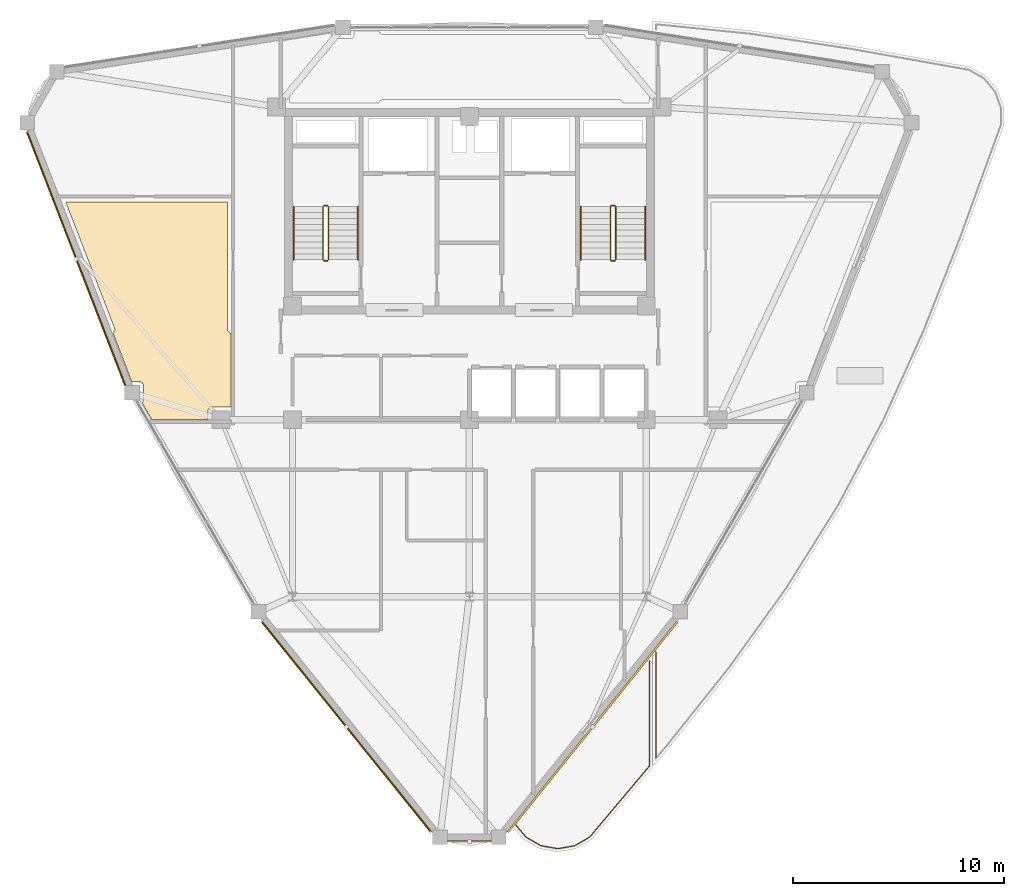
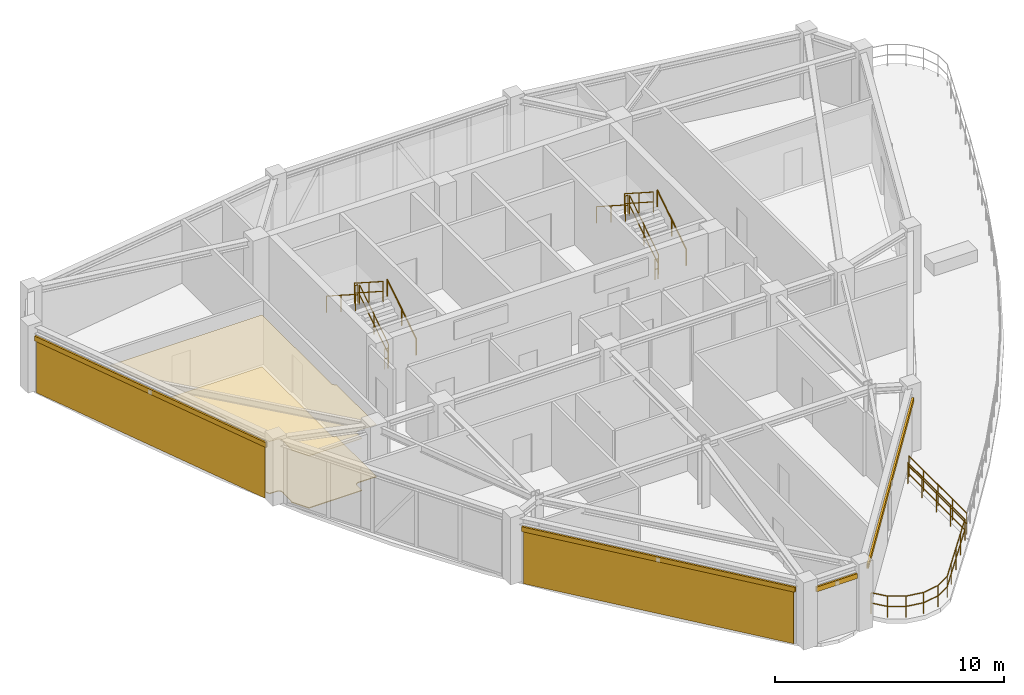
# One storey, part 14 of 16: 14 railings, 4 coverings, 4 shading devices.
"""IFC4 building model written with IfcOpenShell, lengths in metres."""

from ifc_helpers import new_model, si_unit, derived_unit, direction, frame, origin, origin_2d, place, context, subcontext, project, spatial, polyline, hollow_rectangle, circle, outline, extrude, source, transform, mapped, material, layer, layer_set, material_profile, profile_set, type_object, element, save


model = new_model("IFC4")

# Units and contexts
model_context = context("Model", 3, precision=1e-05, world=origin(), true_north=direction((0.0, 1.0)))
body_context = subcontext(model_context, "Body", "Model", "MODEL_VIEW")
ifc_project = project(units=[si_unit("LENGTHUNIT", "METRE"), si_unit("AREAUNIT", "SQUARE_METRE"), si_unit("VOLUMEUNIT", "CUBIC_METRE"), si_unit("PLANEANGLEUNIT", "RADIAN"), si_unit("MASSUNIT", "GRAM", prefix="KILO"), derived_unit("THERMALTRANSMITTANCEUNIT", [(si_unit("POWERUNIT", "WATT"), 1), (si_unit("LENGTHUNIT", "METRE"), -2), (si_unit("THERMODYNAMICTEMPERATUREUNIT", "KELVIN"), -1)])], contexts=[model_context])

# Site, building, storey
site_placement = place(None, origin())
site = spatial("IfcSite", under=ifc_project, at=site_placement, CompositionType="ELEMENT")
building_placement = place(site_placement, origin())
building = spatial("IfcBuilding", under=site, at=building_placement, Name="Korsvarv Bourse and Concert Hall", CompositionType="ELEMENT")
storey_placement = place(building_placement, frame((0.0, 0.0, 243.0)))
storey = spatial("IfcBuildingStorey", under=building, at=storey_placement, Name="L63", CompositionType="ELEMENT", Elevation=243.0)

# Coverings
ifc_material_1 = material(Name="Perforated mineral-wool and birch acoustic baffle ceiling", Category="wood")
ifc_layer_1 = layer(ifc_material_1, 0.02490234375)
ifc_layer_set_1 = layer_set([ifc_layer_1], Name="Perforated mineral-wool and birch acoustic baffle ceiling")
covering_type_1 = type_object("IfcCoveringType", Name="COV-CEIL-1", PredefinedType="CEILING", material=ifc_layer_set_1)
covering_1_placement = place(storey_placement, frame((0.0, 0.0, 2.7900390625)))
element("IfcCovering", 1, at=covering_1_placement, inside=storey, type_object=covering_type_1, Name="L63 acoustic baffle ceiling 1", PredefinedType="CEILING", context=body_context, shape_type="SweptSolid", body=[
    extrude(outline(polyline([(19.07958984375, 36.5234375), (19.1083984375, 36.544921875), (19.132568359375, 36.57177734375), (19.15087890625, 36.602783203125), (19.16259765625, 36.63671875), (19.167236328125, 36.672607421875), (19.164794921875, 36.70849609375), (19.1552734375, 36.7431640625), (16.8310546875, 42.75), (24.52001953125, 42.75), (24.52001953125, 36.68994140625), (24.523681640625, 36.65380859375), (24.53466796875, 36.618896484375), (24.55224609375, 36.587158203125), (24.575927734375, 36.5595703125), (24.604736328125, 36.537353515625), (24.637451171875, 36.521240234375), (24.672607421875, 36.51220703125), (24.679931640625, 32.9990234375), (24.654541015625, 33.00390625), (23.777099609375, 33.014892578125), (23.741943359375, 33.011962890625), (23.708251953125, 33.002197265625), (23.677001953125, 32.986083984375), (23.6494140625, 32.964111328125), (23.626708984375, 32.937255859375), (23.60986328125, 32.906494140625), (23.59912109375, 32.872802734375), (23.594970703125, 32.837890625), (23.587890625, 32.409912109375), (21.001220703125, 32.409912109375), (20.96435546875, 32.40625), (20.9306640625, 32.3955078125), (20.463623046875, 33.204345703125), (20.477783203125, 33.222412109375), (20.49462890625, 33.2529296875), (20.505126953125, 33.286376953125), (20.509033203125, 33.321044921875), (20.51904296875, 34.031005859375), (20.51611328125, 34.066162109375), (20.506591796875, 34.099853515625), (20.490478515625, 34.131103515625), (20.468505859375, 34.15869140625), (20.441650390625, 34.181396484375), (20.4111328125, 34.198486328125), (20.377685546875, 34.20947265625), (20.3427734375, 34.213623046875), (19.9638671875, 34.22119140625), (19.07958984375, 36.5234375)])), origin(), (0.0, 0.0, 1.0), 0.02490234375),
])
ifc_material_2 = material(Name="Warm iron-oxide extruded terracotta rainscreen tile", Category="ceramic")
ifc_layer_2 = layer(ifc_material_2, 0.044921875)
ifc_layer_set_2 = layer_set([ifc_layer_2], Name="Warm iron-oxide extruded terracotta rainscreen tile")
covering_type_2 = type_object("IfcCoveringType", Name="COV-CLD-TC", PredefinedType="CLADDING", material=ifc_layer_set_2)
covering_2_placement = place(storey_placement, origin())
element("IfcCovering", 2, at=covering_2_placement, inside=storey, type_object=covering_type_2, Name="L63 fluted terracotta cladding panel EW-L63-B06", PredefinedType="CLADDING", context=body_context, shape_type="SweptSolid", body=[
    extrude(outline(polyline([(15.052734375, 46.025390625), (19.686767578125, 34.064453125), (19.64501953125, 34.048095703125), (15.0107421875, 46.009033203125), (15.052734375, 46.025390625)])), origin(), (0.0, 0.0, 1.0), 2.72998046875),
])
covering_3_placement = place(storey_placement, origin())
element("IfcCovering", 3, at=covering_3_placement, inside=storey, type_object=covering_type_2, Name="L63 fluted terracotta cladding panel EW-L63-B08", PredefinedType="CLADDING", context=body_context, shape_type="SweptSolid", body=[
    extrude(outline(polyline([(26.214111328125, 22.78173828125), (34.16162109375, 12.90478515625), (34.12646484375, 12.876708984375), (26.17919921875, 22.75341796875), (26.214111328125, 22.78173828125)])), origin(), (0.0, 0.0, 1.0), 2.760009765625),
])
ifc_material_3 = material(Name="Calcium-sulphate raised access trading floor with Nordic oak top", Category="wood")
ifc_layer_3 = layer(ifc_material_3, 0.0400390625)
ifc_layer_set_3 = layer_set([ifc_layer_3], Name="Calcium-sulphate raised access trading floor with Nordic oak top")
covering_type_3 = type_object("IfcCoveringType", Name="COV-FLOR-1", PredefinedType="FLOORING", material=ifc_layer_set_3)
covering_4_placement = place(storey_placement, origin())
element("IfcCovering", 4, at=covering_4_placement, inside=storey, type_object=covering_type_3, Name="L63 raised access oak floor finish 1", PredefinedType="FLOORING", context=body_context, shape_type="SweptSolid", body=[
    extrude(outline(polyline([(19.07958984375, 36.5234375), (19.1083984375, 36.544921875), (19.132568359375, 36.57177734375), (19.15087890625, 36.602783203125), (19.16259765625, 36.63671875), (19.167236328125, 36.672607421875), (19.164794921875, 36.70849609375), (19.1552734375, 36.7431640625), (16.8310546875, 42.75), (24.52001953125, 42.75), (24.52001953125, 36.68994140625), (24.523681640625, 36.65380859375), (24.53466796875, 36.618896484375), (24.55224609375, 36.587158203125), (24.575927734375, 36.5595703125), (24.604736328125, 36.537353515625), (24.637451171875, 36.521240234375), (24.672607421875, 36.51220703125), (24.679931640625, 32.9990234375), (24.654541015625, 33.00390625), (23.777099609375, 33.014892578125), (23.741943359375, 33.011962890625), (23.708251953125, 33.002197265625), (23.677001953125, 32.986083984375), (23.6494140625, 32.964111328125), (23.626708984375, 32.937255859375), (23.60986328125, 32.906494140625), (23.59912109375, 32.872802734375), (23.594970703125, 32.837890625), (23.587890625, 32.409912109375), (21.001220703125, 32.409912109375), (20.96435546875, 32.40625), (20.9306640625, 32.3955078125), (20.463623046875, 33.204345703125), (20.477783203125, 33.222412109375), (20.49462890625, 33.2529296875), (20.505126953125, 33.286376953125), (20.509033203125, 33.321044921875), (20.51904296875, 34.031005859375), (20.51611328125, 34.066162109375), (20.506591796875, 34.099853515625), (20.490478515625, 34.131103515625), (20.468505859375, 34.15869140625), (20.441650390625, 34.181396484375), (20.4111328125, 34.198486328125), (20.377685546875, 34.20947265625), (20.3427734375, 34.213623046875), (19.9638671875, 34.22119140625), (19.07958984375, 36.5234375)])), origin(), (0.0, 0.0, 1.0), 0.0400390625),
])

# Railings
ifc_material_4 = material(Name="Laminated safety glass and stainless Steel S355 balustrade", Category="steel")
railing_type_1 = type_object("IfcRailingType", Name="RL-BAL-EXT", PredefinedType="BALUSTRADE", material=ifc_material_4)
railing_1_placement = place(storey_placement, frame((44.85009765625, 16.315673828125, 0.0)))
element("IfcRailing", 5, at=railing_1_placement, inside=storey, type_object=railing_type_1, Name="L63 terrace perimeter balustrade SKYG1-1", PredefinedType="BALUSTRADE", context=body_context, shape_type="SweptSolid", body=[
    extrude(circle(Radius=0.02392578125, at=origin_2d()), frame((0.0, 0.0, 1.1259765625), z_axis=(0.0, 1.0, 0.0), x_axis=(-1.0, 0.0, 0.0)), (0.0, 0.0, 1.0), 5.056640625),
    extrude(circle(Radius=0.02392578125, at=origin_2d()), frame((0.0, 0.0, 0.574951171875), z_axis=(0.0, 1.0, 0.0), x_axis=(-1.0, 0.0, 0.0)), (0.0, 0.0, 1.0), 5.056640625),
    extrude(circle(Radius=0.02099609375, at=origin_2d()), origin(), (0.0, 0.0, 1.0), 1.101806640625),
    extrude(circle(Radius=0.02099609375, at=origin_2d()), frame((0.0, 1.26416015625, 0.0)), (0.0, 0.0, 1.0), 1.101806640625),
    extrude(circle(Radius=0.02099609375, at=origin_2d()), frame((0.0, 2.5283203125, 0.0)), (0.0, 0.0, 1.0), 1.101806640625),
    extrude(circle(Radius=0.02099609375, at=origin_2d()), frame((0.0, 3.79248046875, 0.0)), (0.0, 0.0, 1.0), 1.101806640625),
    extrude(circle(Radius=0.02099609375, at=origin_2d()), frame((0.0, 5.056640625, 0.0)), (0.0, 0.0, 1.0), 1.101806640625),
])
railing_2_placement = place(storey_placement, frame((44.550048828125, 20.955322265625, 0.0)))
element("IfcRailing", 6, at=railing_2_placement, inside=storey, type_object=railing_type_1, Name="L63 terrace perimeter balustrade SKYG2-1", PredefinedType="BALUSTRADE", context=body_context, shape_type="SweptSolid", body=[
    extrude(circle(Radius=0.02392578125, at=origin_2d()), frame((0.0, 0.0, 1.1259765625), z_axis=(0.0, -1.0, 0.0), x_axis=(1.0, 0.0, 0.0)), (0.0, 0.0, 1.0), 4.996337890625),
    extrude(circle(Radius=0.02392578125, at=origin_2d()), frame((0.0, 0.0, 0.574951171875), z_axis=(0.0, -1.0, 0.0), x_axis=(1.0, 0.0, 0.0)), (0.0, 0.0, 1.0), 4.996337890625),
    extrude(circle(Radius=0.02392578125, at=origin_2d()), frame((0.0, -4.996337890625, 1.1259765625), z_axis=(-0.643941489888, -0.765074739879, 0.0), x_axis=(0.765074739879, -0.643941489888, 0.0)), (0.0, 0.0, 1.0), 3.40625),
    extrude(circle(Radius=0.02392578125, at=origin_2d()), frame((0.0, -4.996337890625, 0.574951171875), z_axis=(-0.643941489888, -0.765074739879, 0.0), x_axis=(0.765074739879, -0.643941489888, 0.0)), (0.0, 0.0, 1.0), 3.40625),
    extrude(circle(Radius=0.02392578125, at=origin_2d()), frame((-2.193359375, -7.602294921875, 1.1259765625), z_axis=(-0.642833067598, -0.766006297104, 0.0), x_axis=(0.766006297104, -0.642833067598, 0.0)), (0.0, 0.0, 1.0), 1.0048828125),
    extrude(circle(Radius=0.02392578125, at=origin_2d()), frame((-2.193359375, -7.602294921875, 0.574951171875), z_axis=(-0.642833067598, -0.766006297104, 0.0), x_axis=(0.766006297104, -0.642833067598, 0.0)), (0.0, 0.0, 1.0), 1.0048828125),
    extrude(circle(Radius=0.02392578125, at=origin_2d()), frame((-2.83935546875, -8.3720703125, 1.1259765625), z_axis=(-0.866080975745, -0.499903734186, 0.0), x_axis=(0.499903734186, -0.866080975745, 0.0)), (0.0, 0.0, 1.0), 0.816162109375),
    extrude(circle(Radius=0.02392578125, at=origin_2d()), frame((-2.83935546875, -8.3720703125, 0.574951171875), z_axis=(-0.866080975745, -0.499903734186, 0.0), x_axis=(0.499903734186, -0.866080975745, 0.0)), (0.0, 0.0, 1.0), 0.816162109375),
    extrude(circle(Radius=0.02392578125, at=origin_2d()), frame((-3.546142578125, -8.780029296875, 1.1259765625), z_axis=(-0.984789579477, -0.173751213385, 0.0), x_axis=(0.173751213385, -0.984789579477, 0.0)), (0.0, 0.0, 1.0), 0.81640625),
    extrude(circle(Radius=0.02392578125, at=origin_2d()), frame((-3.546142578125, -8.780029296875, 0.574951171875), z_axis=(-0.984789579477, -0.173751213385, 0.0), x_axis=(0.173751213385, -0.984789579477, 0.0)), (0.0, 0.0, 1.0), 0.81640625),
    extrude(circle(Radius=0.02392578125, at=origin_2d()), frame((-4.35009765625, -8.921875, 1.1259765625), z_axis=(-0.984789579477, 0.173751213385, 0.0), x_axis=(-0.173751213385, -0.984789579477, 0.0)), (0.0, 0.0, 1.0), 0.81640625),
    extrude(circle(Radius=0.02392578125, at=origin_2d()), frame((-4.35009765625, -8.921875, 0.574951171875), z_axis=(-0.984789579477, 0.173751213385, 0.0), x_axis=(-0.173751213385, -0.984789579477, 0.0)), (0.0, 0.0, 1.0), 0.81640625),
    extrude(circle(Radius=0.02392578125, at=origin_2d()), frame((-5.154052734375, -8.780029296875, 1.1259765625), z_axis=(-0.866080975745, 0.499903734186, 0.0), x_axis=(-0.499903734186, -0.866080975745, 0.0)), (0.0, 0.0, 1.0), 0.816162109375),
    extrude(circle(Radius=0.02392578125, at=origin_2d()), frame((-5.154052734375, -8.780029296875, 0.574951171875), z_axis=(-0.866080975745, 0.499903734186, 0.0), x_axis=(-0.499903734186, -0.866080975745, 0.0)), (0.0, 0.0, 1.0), 0.816162109375),
    extrude(circle(Radius=0.02392578125, at=origin_2d()), frame((-5.86083984375, -8.3720703125, 1.1259765625), z_axis=(-0.642746409583, 0.766079012223, 0.0), x_axis=(-0.766079012223, -0.642746409583, 0.0)), (0.0, 0.0, 1.0), 0.758056640625),
    extrude(circle(Radius=0.02392578125, at=origin_2d()), frame((-5.86083984375, -8.3720703125, 0.574951171875), z_axis=(-0.642746409583, 0.766079012223, 0.0), x_axis=(-0.766079012223, -0.642746409583, 0.0)), (0.0, 0.0, 1.0), 0.758056640625),
    extrude(circle(Radius=0.02099609375, at=origin_2d()), origin(), (0.0, 0.0, 1.0), 1.101806640625),
    extrude(circle(Radius=0.02099609375, at=origin_2d()), frame((0.0, -1.2490234375, 0.0)), (0.0, 0.0, 1.0), 1.101806640625),
    extrude(circle(Radius=0.02099609375, at=origin_2d()), frame((0.0, -2.498046875, 0.0)), (0.0, 0.0, 1.0), 1.101806640625),
    extrude(circle(Radius=0.02099609375, at=origin_2d()), frame((0.0, -3.747314453125, 0.0)), (0.0, 0.0, 1.0), 1.101806640625),
    extrude(circle(Radius=0.02099609375, at=origin_2d()), frame((0.0, -4.996337890625, 0.0)), (0.0, 0.0, 1.0), 1.101806640625),
    extrude(circle(Radius=0.02099609375, at=origin_2d()), frame((-0.731201171875, -5.864990234375, 0.0)), (0.0, 0.0, 1.0), 1.101806640625),
    extrude(circle(Radius=0.02099609375, at=origin_2d()), frame((-1.462158203125, -6.733642578125, 0.0)), (0.0, 0.0, 1.0), 1.101806640625),
    extrude(circle(Radius=0.02099609375, at=origin_2d()), frame((-2.193359375, -7.602294921875, 0.0)), (0.0, 0.0, 1.0), 1.101806640625),
    extrude(circle(Radius=0.02099609375, at=origin_2d()), frame((-2.83935546875, -8.3720703125, 0.0)), (0.0, 0.0, 1.0), 1.101806640625),
    extrude(circle(Radius=0.02099609375, at=origin_2d()), frame((-3.546142578125, -8.780029296875, 0.0)), (0.0, 0.0, 1.0), 1.101806640625),
    extrude(circle(Radius=0.02099609375, at=origin_2d()), frame((-4.35009765625, -8.921875, 0.0)), (0.0, 0.0, 1.0), 1.101806640625),
    extrude(circle(Radius=0.02099609375, at=origin_2d()), frame((-5.154052734375, -8.780029296875, 0.0)), (0.0, 0.0, 1.0), 1.101806640625),
    extrude(circle(Radius=0.02099609375, at=origin_2d()), frame((-5.86083984375, -8.3720703125, 0.0)), (0.0, 0.0, 1.0), 1.101806640625),
    extrude(circle(Radius=0.02099609375, at=origin_2d()), frame((-6.34814453125, -7.791259765625, 0.0)), (0.0, 0.0, 1.0), 1.101806640625),
])
ifc_material_5 = material(Name="Painted Steel S355 stair well guardrail", Category="steel")
railing_type_2 = type_object("IfcRailingType", Name="RL-ST-GRD", PredefinedType="GUARDRAIL", material=ifc_material_5)
railing_3_placement = place(storey_placement, frame((29.31005859375, 40.0, 0.179931640625)))
element("IfcRailing", 7, at=railing_3_placement, inside=storey, type_object=railing_type_2, Name="L63 ST-T1 stair guard 1", PredefinedType="GUARDRAIL", context=body_context, shape_type="SweptSolid", body=[
    extrude(circle(Radius=0.02392578125, at=origin_2d()), frame((0.0, 0.0, 1.076171875), z_axis=(0.0, 0.841162588446, 0.540782303519), x_axis=(-1.0, 0.0, 0.0)), (0.0, 0.0, 1.0), 2.995849609375),
    extrude(circle(Radius=0.02392578125, at=origin_2d()), frame((0.0, 0.0, 0.550048828125), z_axis=(0.0, 0.841162588446, 0.540782303519), x_axis=(-1.0, 0.0, 0.0)), (0.0, 0.0, 1.0), 2.995849609375),
    extrude(circle(Radius=0.02099609375, at=origin_2d()), origin(), (0.0, 0.0, 1.0), 1.052001953125),
    extrude(circle(Radius=0.02099609375, at=origin_2d()), frame((0.0, 1.260009765625, 0.81005859375)), (0.0, 0.0, 1.0), 1.052001953125),
    extrude(circle(Radius=0.02099609375, at=origin_2d()), frame((0.0, 2.52001953125, 1.6201171875)), (0.0, 0.0, 1.0), 1.052001953125),
])
railing_4_placement = place(storey_placement, frame((29.260009765625, 42.570068359375, 1.800048828125)))
element("IfcRailing", 8, at=railing_4_placement, inside=storey, type_object=railing_type_2, Name="L63 ST-T1 stair guard 2", PredefinedType="GUARDRAIL", context=body_context, shape_type="SweptSolid", body=[
    extrude(circle(Radius=0.02392578125, at=origin_2d()), frame((0.0, 0.0, 1.076171875), z_axis=(-1.0, 0.0, 0.0), x_axis=(0.0, -1.0, 0.0)), (0.0, 0.0, 1.0), 0.159912109375),
    extrude(circle(Radius=0.02392578125, at=origin_2d()), frame((0.0, 0.0, 0.550048828125), z_axis=(-1.0, 0.0, 0.0), x_axis=(0.0, -1.0, 0.0)), (0.0, 0.0, 1.0), 0.159912109375),
    extrude(circle(Radius=0.02099609375, at=origin_2d()), origin(), (0.0, 0.0, 1.0), 1.052001953125),
    extrude(circle(Radius=0.02099609375, at=origin_2d()), frame((-0.159912109375, 0.0, 0.0)), (0.0, 0.0, 1.0), 1.052001953125),
])
railing_5_placement = place(storey_placement, frame((29.050048828125, 42.52001953125, 1.97998046875)))
element("IfcRailing", 9, at=railing_5_placement, inside=storey, type_object=railing_type_2, Name="L63 ST-T1 stair guard 3", PredefinedType="GUARDRAIL", context=body_context, shape_type="SweptSolid", body=[
    extrude(circle(Radius=0.02392578125, at=origin_2d()), frame((0.0, 0.0, 1.076171875), z_axis=(0.0, -0.841162588446, 0.540782303519), x_axis=(1.0, 0.0, 0.0)), (0.0, 0.0, 1.0), 2.995849609375),
    extrude(circle(Radius=0.02392578125, at=origin_2d()), frame((0.0, 0.0, 0.550048828125), z_axis=(0.0, -0.841162588446, 0.540782303519), x_axis=(1.0, 0.0, 0.0)), (0.0, 0.0, 1.0), 2.995849609375),
    extrude(circle(Radius=0.02099609375, at=origin_2d()), origin(), (0.0, 0.0, 1.0), 1.052001953125),
    extrude(circle(Radius=0.02099609375, at=origin_2d()), frame((0.0, -1.260009765625, 0.81005859375)), (0.0, 0.0, 1.0), 1.052001953125),
    extrude(circle(Radius=0.02099609375, at=origin_2d()), frame((0.0, -2.52001953125, 1.6201171875)), (0.0, 0.0, 1.0), 1.052001953125),
])
railing_6_placement = place(storey_placement, frame((29.260009765625, 39.949951171875, 0.0)))
element("IfcRailing", 10, at=railing_6_placement, inside=storey, type_object=railing_type_2, Name="L63 ST-T1 stair guard 4", PredefinedType="GUARDRAIL", context=body_context, shape_type="SweptSolid", body=[
    extrude(circle(Radius=0.02392578125, at=origin_2d()), frame((0.0, 0.0, 1.076171875), z_axis=(-1.0, 0.0, 0.0), x_axis=(0.0, -1.0, 0.0)), (0.0, 0.0, 1.0), 0.159912109375),
    extrude(circle(Radius=0.02392578125, at=origin_2d()), frame((0.0, 0.0, 0.550048828125), z_axis=(-1.0, 0.0, 0.0), x_axis=(0.0, -1.0, 0.0)), (0.0, 0.0, 1.0), 0.159912109375),
    extrude(circle(Radius=0.02099609375, at=origin_2d()), origin(), (0.0, 0.0, 1.0), 1.052001953125),
    extrude(circle(Radius=0.02099609375, at=origin_2d()), frame((-0.159912109375, 0.0, 0.0)), (0.0, 0.0, 1.0), 1.052001953125),
])
railing_7_placement = place(storey_placement, frame((42.949951171875, 40.0, 0.179931640625)))
element("IfcRailing", 11, at=railing_7_placement, inside=storey, type_object=railing_type_2, Name="L63 ST-T2 stair guard 1", PredefinedType="GUARDRAIL", context=body_context, shape_type="SweptSolid", body=[
    extrude(circle(Radius=0.02392578125, at=origin_2d()), frame((0.0, 0.0, 1.076171875), z_axis=(0.0, 0.841162588446, 0.540782303519), x_axis=(-1.0, 0.0, 0.0)), (0.0, 0.0, 1.0), 2.995849609375),
    extrude(circle(Radius=0.02392578125, at=origin_2d()), frame((0.0, 0.0, 0.550048828125), z_axis=(0.0, 0.841162588446, 0.540782303519), x_axis=(-1.0, 0.0, 0.0)), (0.0, 0.0, 1.0), 2.995849609375),
    extrude(circle(Radius=0.02099609375, at=origin_2d()), origin(), (0.0, 0.0, 1.0), 1.052001953125),
    extrude(circle(Radius=0.02099609375, at=origin_2d()), frame((0.0, 1.260009765625, 0.81005859375)), (0.0, 0.0, 1.0), 1.052001953125),
    extrude(circle(Radius=0.02099609375, at=origin_2d()), frame((0.0, 2.52001953125, 1.6201171875)), (0.0, 0.0, 1.0), 1.052001953125),
])
railing_8_placement = place(storey_placement, frame((42.89990234375, 42.570068359375, 1.800048828125)))
element("IfcRailing", 12, at=railing_8_placement, inside=storey, type_object=railing_type_2, Name="L63 ST-T2 stair guard 2", PredefinedType="GUARDRAIL", context=body_context, shape_type="SweptSolid", body=[
    extrude(circle(Radius=0.02392578125, at=origin_2d()), frame((0.0, 0.0, 1.076171875), z_axis=(-1.0, 0.0, 0.0), x_axis=(0.0, -1.0, 0.0)), (0.0, 0.0, 1.0), 0.159912109375),
    extrude(circle(Radius=0.02392578125, at=origin_2d()), frame((0.0, 0.0, 0.550048828125), z_axis=(-1.0, 0.0, 0.0), x_axis=(0.0, -1.0, 0.0)), (0.0, 0.0, 1.0), 0.159912109375),
    extrude(circle(Radius=0.02099609375, at=origin_2d()), origin(), (0.0, 0.0, 1.0), 1.052001953125),
    extrude(circle(Radius=0.02099609375, at=origin_2d()), frame((-0.159912109375, 0.0, 0.0)), (0.0, 0.0, 1.0), 1.052001953125),
])
railing_9_placement = place(storey_placement, frame((42.68994140625, 42.52001953125, 1.97998046875)))
element("IfcRailing", 13, at=railing_9_placement, inside=storey, type_object=railing_type_2, Name="L63 ST-T2 stair guard 3", PredefinedType="GUARDRAIL", context=body_context, shape_type="SweptSolid", body=[
    extrude(circle(Radius=0.02392578125, at=origin_2d()), frame((0.0, 0.0, 1.076171875), z_axis=(0.0, -0.841162588446, 0.540782303519), x_axis=(1.0, 0.0, 0.0)), (0.0, 0.0, 1.0), 2.995849609375),
    extrude(circle(Radius=0.02392578125, at=origin_2d()), frame((0.0, 0.0, 0.550048828125), z_axis=(0.0, -0.841162588446, 0.540782303519), x_axis=(1.0, 0.0, 0.0)), (0.0, 0.0, 1.0), 2.995849609375),
    extrude(circle(Radius=0.02099609375, at=origin_2d()), origin(), (0.0, 0.0, 1.0), 1.052001953125),
    extrude(circle(Radius=0.02099609375, at=origin_2d()), frame((0.0, -1.260009765625, 0.81005859375)), (0.0, 0.0, 1.0), 1.052001953125),
    extrude(circle(Radius=0.02099609375, at=origin_2d()), frame((0.0, -2.52001953125, 1.6201171875)), (0.0, 0.0, 1.0), 1.052001953125),
])
railing_10_placement = place(storey_placement, frame((42.89990234375, 39.949951171875, 0.0)))
element("IfcRailing", 14, at=railing_10_placement, inside=storey, type_object=railing_type_2, Name="L63 ST-T2 stair guard 4", PredefinedType="GUARDRAIL", context=body_context, shape_type="SweptSolid", body=[
    extrude(circle(Radius=0.02392578125, at=origin_2d()), frame((0.0, 0.0, 1.076171875), z_axis=(-1.0, 0.0, 0.0), x_axis=(0.0, -1.0, 0.0)), (0.0, 0.0, 1.0), 0.159912109375),
    extrude(circle(Radius=0.02392578125, at=origin_2d()), frame((0.0, 0.0, 0.550048828125), z_axis=(-1.0, 0.0, 0.0), x_axis=(0.0, -1.0, 0.0)), (0.0, 0.0, 1.0), 0.159912109375),
    extrude(circle(Radius=0.02099609375, at=origin_2d()), origin(), (0.0, 0.0, 1.0), 1.052001953125),
    extrude(circle(Radius=0.02099609375, at=origin_2d()), frame((-0.159912109375, 0.0, 0.0)), (0.0, 0.0, 1.0), 1.052001953125),
])
ifc_material_6 = material(Name="Brushed stainless Steel S355 tubular handrail", Category="steel")
railing_type_3 = type_object("IfcRailingType", Name="RL-ST-HND", PredefinedType="HANDRAIL", material=ifc_material_6)
railing_11_placement = place(storey_placement, frame((30.7099609375, 40.0, 0.179931640625)))
element("IfcRailing", 15, at=railing_11_placement, inside=storey, type_object=railing_type_3, Name="L63 ST-T1 stair handrail 1", PredefinedType="HANDRAIL", context=body_context, shape_type="SweptSolid", body=[
    extrude(circle(Radius=0.02392578125, at=origin_2d()), frame((0.0, 0.0, 0.8759765625), z_axis=(0.0, 0.841162588446, 0.540782303519), x_axis=(-1.0, 0.0, 0.0)), (0.0, 0.0, 1.0), 2.995849609375),
    extrude(circle(Radius=0.02099609375, at=origin_2d()), origin(), (0.0, 0.0, 1.0), 0.851806640625),
    extrude(circle(Radius=0.02099609375, at=origin_2d()), frame((0.0, 1.260009765625, 0.81005859375)), (0.0, 0.0, 1.0), 0.851806640625),
    extrude(circle(Radius=0.02099609375, at=origin_2d()), frame((0.0, 2.52001953125, 1.6201171875)), (0.0, 0.0, 1.0), 0.851806640625),
])
railing_12_placement = place(storey_placement, frame((27.64990234375, 42.52001953125, 1.97998046875)))
element("IfcRailing", 16, at=railing_12_placement, inside=storey, type_object=railing_type_3, Name="L63 ST-T1 stair handrail 2", PredefinedType="HANDRAIL", context=body_context, shape_type="SweptSolid", body=[
    extrude(circle(Radius=0.02392578125, at=origin_2d()), frame((0.0, 0.0, 0.8759765625), z_axis=(0.0, -0.841162588446, 0.540782303519), x_axis=(1.0, 0.0, 0.0)), (0.0, 0.0, 1.0), 2.995849609375),
    extrude(circle(Radius=0.02099609375, at=origin_2d()), origin(), (0.0, 0.0, 1.0), 0.851806640625),
    extrude(circle(Radius=0.02099609375, at=origin_2d()), frame((0.0, -1.260009765625, 0.81005859375)), (0.0, 0.0, 1.0), 0.851806640625),
    extrude(circle(Radius=0.02099609375, at=origin_2d()), frame((0.0, -2.52001953125, 1.6201171875)), (0.0, 0.0, 1.0), 0.851806640625),
])
railing_13_placement = place(storey_placement, frame((44.35009765625, 40.0, 0.179931640625)))
element("IfcRailing", 17, at=railing_13_placement, inside=storey, type_object=railing_type_3, Name="L63 ST-T2 stair handrail 1", PredefinedType="HANDRAIL", context=body_context, shape_type="SweptSolid", body=[
    extrude(circle(Radius=0.02392578125, at=origin_2d()), frame((0.0, 0.0, 0.8759765625), z_axis=(0.0, 0.841162588446, 0.540782303519), x_axis=(-1.0, 0.0, 0.0)), (0.0, 0.0, 1.0), 2.995849609375),
    extrude(circle(Radius=0.02099609375, at=origin_2d()), origin(), (0.0, 0.0, 1.0), 0.851806640625),
    extrude(circle(Radius=0.02099609375, at=origin_2d()), frame((0.0, 1.260009765625, 0.81005859375)), (0.0, 0.0, 1.0), 0.851806640625),
    extrude(circle(Radius=0.02099609375, at=origin_2d()), frame((0.0, 2.52001953125, 1.6201171875)), (0.0, 0.0, 1.0), 0.851806640625),
])
railing_14_placement = place(storey_placement, frame((41.2900390625, 42.52001953125, 1.97998046875)))
element("IfcRailing", 18, at=railing_14_placement, inside=storey, type_object=railing_type_3, Name="L63 ST-T2 stair handrail 2", PredefinedType="HANDRAIL", context=body_context, shape_type="SweptSolid", body=[
    extrude(circle(Radius=0.02392578125, at=origin_2d()), frame((0.0, 0.0, 0.8759765625), z_axis=(0.0, -0.841162588446, 0.540782303519), x_axis=(1.0, 0.0, 0.0)), (0.0, 0.0, 1.0), 2.995849609375),
    extrude(circle(Radius=0.02099609375, at=origin_2d()), origin(), (0.0, 0.0, 1.0), 0.851806640625),
    extrude(circle(Radius=0.02099609375, at=origin_2d()), frame((0.0, -1.260009765625, 0.81005859375)), (0.0, 0.0, 1.0), 0.851806640625),
    extrude(circle(Radius=0.02099609375, at=origin_2d()), frame((0.0, -2.52001953125, 1.6201171875)), (0.0, 0.0, 1.0), 0.851806640625),
])

# Shading devices
ifc_material_7 = material(Name="Glazed extruded architectural terracotta", Category="ceramic")
ifc_material_profile = material_profile(ifc_material_7, hollow_rectangle(XDim=0.090087890625, YDim=0.260009765625, WallThickness=0.011962890625, at=origin_2d()), Name="TC-BAG 90x260")
ifc_profile_set = profile_set([ifc_material_profile], Name="Glazed extruded architectural terracotta")
shading_device_type = type_object("IfcShadingDeviceType", Name="SHD-BAG-1", PredefinedType="USERDEFINED", material=ifc_profile_set)
shared_shape_1 = source(origin(), body_context, "Body", "SweptSolid", [
    extrude(hollow_rectangle(XDim=0.090087890625, YDim=0.260009765625, WallThickness=0.011962890625, at=origin_2d()), origin(), (0.0, 0.0, 1.0), 12.9873046875),
])
shading_device_1_placement = place(storey_placement, frame((14.986572265625, 46.08544921875, 2.889892578125), z_axis=(0.361269378379, -0.93246149317, 0.0), x_axis=(0.93246149317, 0.361269378379, 0.0)))
element("IfcShadingDevice", 19, at=shading_device_1_placement, inside=storey, type_object=shading_device_type, Name="L63 terracotta baguette sunshade EW-L63-B06", ObjectType="BAGUETTE", PredefinedType="USERDEFINED", context=body_context, shape_type="MappedRepresentation", body=[
    mapped(shared_shape_1, transform((0.0, 0.0, 0.0), scale=1.0)),
])
shared_shape_2 = source(origin(), body_context, "Body", "SweptSolid", [
    extrude(hollow_rectangle(XDim=0.090087890625, YDim=0.260009765625, WallThickness=0.011962890625, at=origin_2d()), origin(), (0.0, 0.0, 1.0), 12.837646484375),
])
shading_device_2_placement = place(storey_placement, frame((26.1328125, 22.819091796875, 2.919921875), z_axis=(0.626900462501, -0.779099358308, 0.0), x_axis=(0.779099358308, 0.626900462501, 0.0)))
element("IfcShadingDevice", 20, at=shading_device_2_placement, inside=storey, type_object=shading_device_type, Name="L63 terracotta baguette sunshade EW-L63-B08", ObjectType="BAGUETTE", PredefinedType="USERDEFINED", context=body_context, shape_type="MappedRepresentation", body=[
    mapped(shared_shape_2, transform((0.0, 0.0, 0.0), scale=1.0)),
])
shared_shape_3 = source(origin(), body_context, "Body", "SweptSolid", [
    extrude(hollow_rectangle(XDim=0.090087890625, YDim=0.260009765625, WallThickness=0.011962890625, at=origin_2d()), origin(), (0.0, 0.0, 1.0), 2.0849609375),
])
shading_device_3_placement = place(storey_placement, frame((34.95751953125, 12.38720703125, 2.919921875), z_axis=(1.0, 0.0, 0.0), x_axis=(0.0, 1.0, 0.0)))
element("IfcShadingDevice", 21, at=shading_device_3_placement, inside=storey, type_object=shading_device_type, Name="L63 terracotta baguette sunshade EW-L63-B09", ObjectType="BAGUETTE", PredefinedType="USERDEFINED", context=body_context, shape_type="MappedRepresentation", body=[
    mapped(shared_shape_3, transform((0.0, 0.0, 0.0), scale=1.0)),
])
shared_shape_4 = source(origin(), body_context, "Body", "SweptSolid", [
    extrude(hollow_rectangle(XDim=0.090087890625, YDim=0.260009765625, WallThickness=0.011962890625, at=origin_2d()), origin(), (0.0, 0.0, 1.0), 12.83740234375),
])
shading_device_4_placement = place(storey_placement, frame((37.8271484375, 12.811279296875, 2.889892578125), z_axis=(0.626909751191, 0.779091884094, 0.0), x_axis=(-0.779091884094, 0.626909751191, 0.0)))
element("IfcShadingDevice", 22, at=shading_device_4_placement, inside=storey, type_object=shading_device_type, Name="L63 terracotta baguette sunshade EW-L63-B10", ObjectType="BAGUETTE", PredefinedType="USERDEFINED", context=body_context, shape_type="MappedRepresentation", body=[
    mapped(shared_shape_4, transform((0.0, 0.0, 0.0), scale=1.0)),
])

save(model, "model.ifc")
